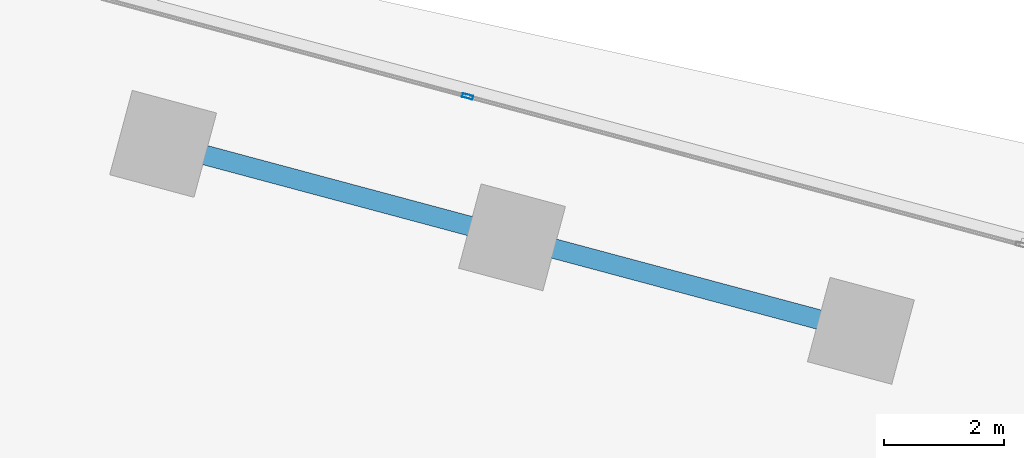
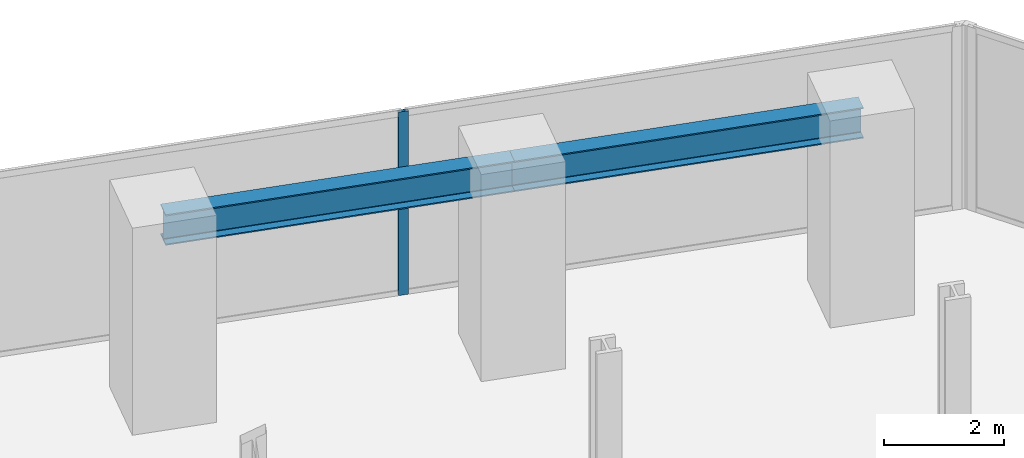
# One storey, part 10 of 26: 2 beams, 1 member, 1 element without a shape of its own.
"""IFC4 building model written with IfcOpenShell, lengths in metres."""

from ifc_helpers import new_model, si_unit, direction, frame, origin, origin_2d, place, context, subcontext, project, spatial, hollow_rectangle, i_section, extrude, source, transform, mapped, material, material_profile, profile_set, type_object, element, aggregate, save


model = new_model("IFC4")

# Units and contexts
model_context = context("Model", 3, precision=1e-05, world=origin(), true_north=direction((0.0, 1.0)))
body_context = subcontext(model_context, "Body", "Model", "MODEL_VIEW")
ifc_project = project(units=[si_unit("LENGTHUNIT", "METRE"), si_unit("AREAUNIT", "SQUARE_METRE"), si_unit("VOLUMEUNIT", "CUBIC_METRE"), si_unit("PLANEANGLEUNIT", "RADIAN"), si_unit("MASSUNIT", "GRAM", prefix="KILO")], contexts=[model_context])

# Site, building, storey
site_placement = place(None, origin())
site = spatial("IfcSite", under=ifc_project, at=site_placement, CompositionType="ELEMENT")
building_placement = place(site_placement, origin())
building = spatial("IfcBuilding", under=site, at=building_placement, Name="Torre Montelarca", CompositionType="ELEMENT")
storey_placement = place(building_placement, frame((0.0, 0.0, 100.0)))
storey = spatial("IfcBuildingStorey", under=building, at=storey_placement, Name="L22", CompositionType="ELEMENT", Elevation=100.0)

# Beams
ifc_material_1 = material(Name="Steel ASTM A992 Grade 50", Category="steel")
ifc_material_profile_1 = material_profile(ifc_material_1, i_section(OverallWidth=0.326904296875, OverallDepth=0.6220703125, WebThickness=0.015380859375, FlangeThickness=0.0244140625, FilletRadius=0.014892578125, at=origin_2d()), Name="W610X195", Category="steel")
ifc_profile_set_1 = profile_set([ifc_material_profile_1], Name="Steel ASTM A992 Grade 50")
beam_type = type_object("IfcBeamType", Name="BM-G-W610H", PredefinedType="BEAM", material=ifc_profile_set_1)
shared_shape_1 = source(origin(), body_context, "Body", "SweptSolid", [
    extrude(i_section(OverallWidth=0.326904296875, OverallDepth=0.6220703125, WebThickness=0.015380859375, FlangeThickness=0.0244140625, FilletRadius=0.014892578125, at=origin_2d()), origin(), (0.0, 0.0, 1.0), 6.0),
])
for number, where, z_axis, x_axis, name in (
    (1, (44.9248046875, 40.21728515625, 3.64892578125), (0.965924258502, -0.258824896092, 0.0), (0.258824896092, 0.965924258502, 0.0), "L22 Grid Girder X 42.0-48.0 at Y=46.0"),
    (2, (50.720458984375, 38.664306640625, 3.64892578125), (0.965924258502, -0.258824896092, 0.0), (0.258824896092, 0.965924258502, 0.0), "L22 Grid Girder X 48.0-54.0 at Y=46.0"),
):
    element("IfcBeam", number, at=place(storey_placement, frame(where, z_axis=z_axis, x_axis=x_axis)), inside=storey, type_object=beam_type, Name=name, PredefinedType="BEAM", context=body_context, shape_type="MappedRepresentation", body=[
        mapped(shared_shape_1, transform((0.0, 0.0, 0.0), scale=1.0)),
    ])

# Curtain wall, member
ifc_material_2 = material(Name="Insulated low-E laminated glass", Category="glass")
curtain_wall_type = type_object("IfcCurtainWallType", Name="CW-SYS-Z1", PredefinedType="USERDEFINED", material=ifc_material_2)
curtain_wall_placement = place(storey_placement, origin())
curtain_wall = element("IfcCurtainWall", 3, at=curtain_wall_placement, inside=storey, type_object=curtain_wall_type, Name="L22 Curtain Wall Run CW-T3-L22-E08-B1", ObjectType="UNITISED GLAZING", PredefinedType="USERDEFINED")
ifc_material_3 = material(Name="Anodised aluminium AA 6063-T6", Category="aluminium")
ifc_material_profile_2 = material_profile(ifc_material_3, hollow_rectangle(XDim=0.06494140625, YDim=0.179931640625, WallThickness=0.00390625, InnerFilletRadius=0.00390625, OuterFilletRadius=0.008056640625, at=origin_2d()), Name="ALU65X180X4", Category="aluminium")
ifc_profile_set_2 = profile_set([ifc_material_profile_2], Name="Anodised aluminium AA 6063-T6")
member_type = type_object("IfcMemberType", Name="CWM-ALU180", PredefinedType="MULLION", material=ifc_profile_set_2)
shared_shape_2 = source(origin(), body_context, "Body", "SweptSolid", [
    extrude(hollow_rectangle(XDim=0.06494140625, YDim=0.179931640625, WallThickness=0.00390625, InnerFilletRadius=0.00390625, OuterFilletRadius=0.008056640625, at=origin_2d()), origin(), (0.0, 0.0, 1.0), 3.719970703125),
])
member_placement = place(storey_placement, frame((49.983154296875, 41.0048828125, 0.0), z_axis=(0.0, 0.0, 1.0), x_axis=(-0.258818066495, -0.965926088506, 0.0)))
member = element("IfcMember", 4, at=member_placement, type_object=member_type, Name="CW mullion 2", PredefinedType="MULLION", context=body_context, shape_type="MappedRepresentation", body=[
    mapped(shared_shape_2, transform((0.0, 0.0, 0.0), scale=1.0)),
])
aggregate(curtain_wall, [member])

save(model, "model.ifc")
